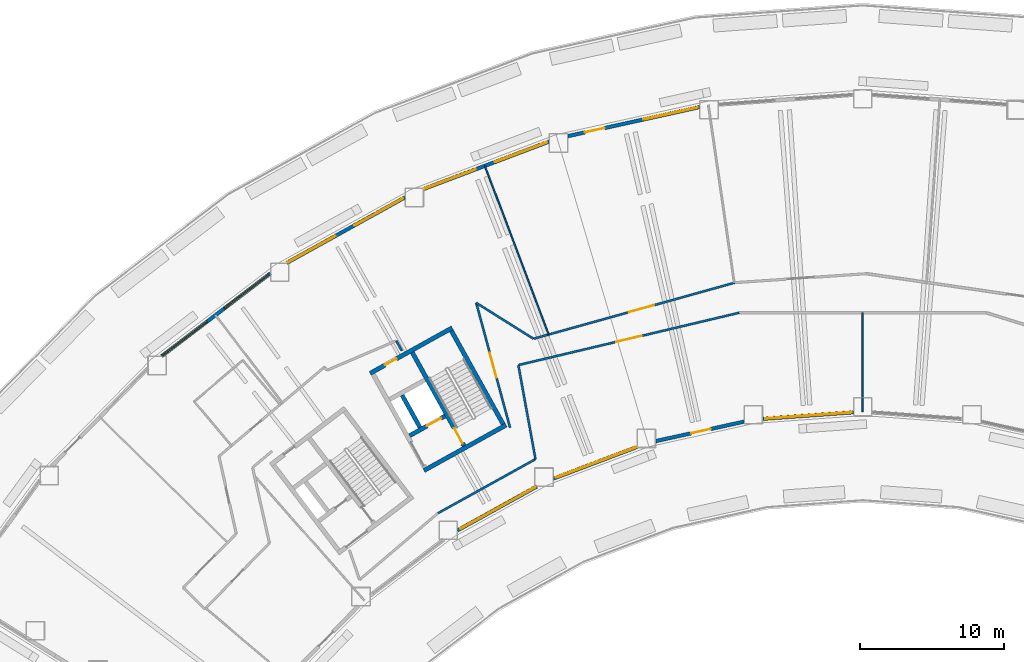
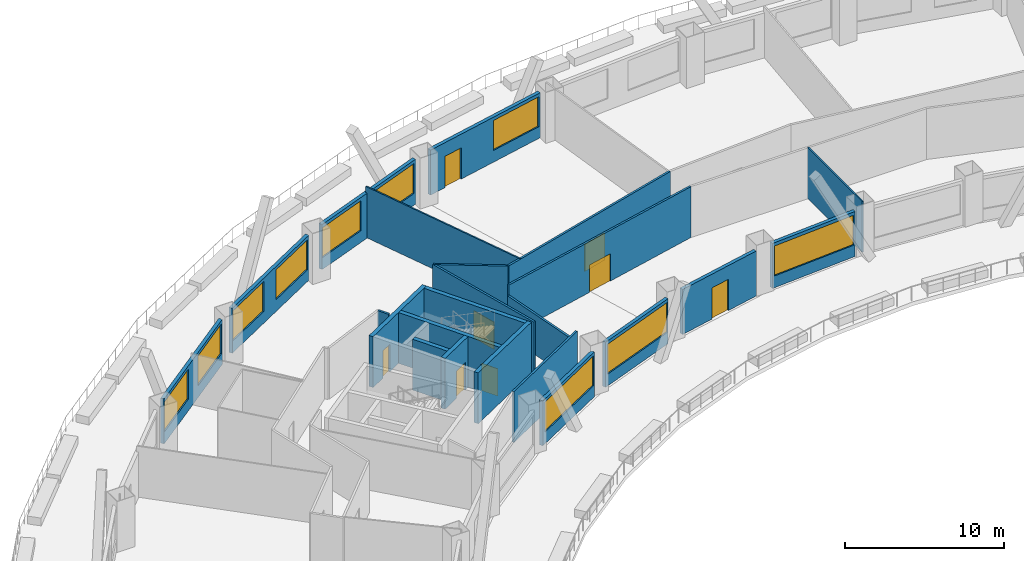
# One storey, part 4 of 12: 23 walls, 10 windows, 8 doors, 18 openings.
"""IFC4 building model written with IfcOpenShell, lengths in metres."""

from ifc_helpers import new_model, si_unit, direction, frame, frame_2d, origin, place, context, subcontext, project, spatial, rectangle, extrude, material, layer, layer_set, type_object, element, fill, save


model = new_model("IFC4")

# Units and contexts
model_context = context("Model", 3, precision=1e-05, world=origin(), true_north=direction((0.0, 1.0)))
body_context = subcontext(model_context, "Body", "Model", "MODEL_VIEW")
ifc_project = project(units=[si_unit("LENGTHUNIT", "METRE"), si_unit("AREAUNIT", "SQUARE_METRE"), si_unit("VOLUMEUNIT", "CUBIC_METRE"), si_unit("PLANEANGLEUNIT", "RADIAN"), si_unit("MASSUNIT", "GRAM", prefix="KILO")], contexts=[model_context])

# Site, building, storey
site_placement = place(None, origin())
site = spatial("IfcSite", under=ifc_project, at=site_placement, CompositionType="ELEMENT")
building_placement = place(site_placement, origin())
building = spatial("IfcBuilding", under=site, at=building_placement, Name="Tuul Gate Civic Tower", CompositionType="ELEMENT")
storey_placement = place(building_placement, frame((0.0, 0.0, 31.5)))
storey = spatial("IfcBuildingStorey", under=building, at=storey_placement, Name="Level 06", CompositionType="ELEMENT", Elevation=31.5)

# Wall
ifc_material_1 = material(Name="Concrete C50/60", Category="concrete")
ifc_layer_1 = layer(ifc_material_1, 0.300048828125)
ifc_layer_set_1 = layer_set([ifc_layer_1], Name="Concrete C50/60")
wall_type_1 = type_object("IfcWallType", Name="Core wall C50/60", PredefinedType="SHEAR", material=ifc_layer_set_1)
wall_1_placement = place(storey_placement, frame((-24.711669921875, -8.7158203125, 0.0), z_axis=(0.0, 0.0, 1.0), x_axis=(-0.874629909008, -0.484791215132, 0.0)))
element("IfcWall", 1, at=wall_1_placement, inside=storey, type_object=wall_type_1, Name="Core wall", PredefinedType="SHEAR", context=body_context, shape_type="SweptSolid", body=[
    extrude(rectangle(XDim=6.5, YDim=0.300048828125, at=frame_2d((3.25, 0.0))), origin(), (0.0, 0.0, 1.0), 3.89990234375),
])

# Wall, opening, door
wall_2_placement = place(storey_placement, frame((-28.94580078125, -8.090087890625, 0.0), z_axis=(0.0, 0.0, 1.0), x_axis=(-0.874629840737, -0.484791338301, 0.0)))
wall_2 = element("IfcWall", 2, at=wall_2_placement, inside=storey, type_object=wall_type_1, Name="Core wall", PredefinedType="SHEAR", context=body_context, shape_type="SweptSolid", body=[
    extrude(rectangle(XDim=2.800048828125, YDim=0.300048828125, at=frame_2d((1.39990234375, 0.0))), origin(), (0.0, 0.0, 1.0), 3.89990234375),
])
opening_1_placement = place(wall_2_placement, frame((0.324951171875, 0.0, 0.0)))
opening_1 = element("IfcOpeningElement", 3, at=opening_1_placement, cuts=wall_2, Name="Opening LD-FF-1", PredefinedType="OPENING", context=body_context, shape_type="SweptSolid", body=[
    extrude(rectangle(XDim=1.10009765625, YDim=2.10009765625, at=frame_2d((0.550048828125, 1.050048828125))), frame((0.0, 0.16015625, 0.0), z_axis=(0.0, -1.0, 0.0), x_axis=(1.0, 0.0, 0.0)), (0.0, 0.0, 1.0), 0.320068359375),
])
ifc_material_2 = material(Name="Stainless steel", Category="steel")
door_type_1 = type_object("IfcDoorType", Name="Landing door", OperationType="DOUBLE_DOOR_SLIDING", PredefinedType="DOOR", material=ifc_material_2)
door_1_placement = place(opening_1_placement, origin())
door_1 = element("IfcDoor", 4, at=door_1_placement, inside=storey, type_object=door_type_1, Name="Fire-fighting lift FF-1 landing door", OperationType="DOUBLE_DOOR_SLIDING", OverallHeight=2.10009765625, OverallWidth=1.10009765625, PredefinedType="DOOR", context=body_context, shape_type="SweptSolid", body=[
    extrude(rectangle(XDim=1.10009765625, YDim=2.10009765625, at=frame_2d((0.550048828125, 1.050048828125))), frame((0.0, 0.02490234375, 0.0), z_axis=(0.0, -1.0, 0.0), x_axis=(1.0, 0.0, 0.0)), (0.0, 0.0, 1.0), 0.050048828125),
])
fill(opening_1, door_1)

wall_3_placement = place(storey_placement, frame((-28.4443359375, -1.98095703125, 0.0), z_axis=(0.0, 0.0, 1.0), x_axis=(-0.874629909008, -0.484791215132, 0.0)))
wall_3 = element("IfcWall", 5, at=wall_3_placement, inside=storey, type_object=wall_type_1, Name="Core wall", PredefinedType="SHEAR", context=body_context, shape_type="SweptSolid", body=[
    extrude(rectangle(XDim=6.5, YDim=0.300048828125, at=frame_2d((3.25, 0.0))), origin(), (0.0, 0.0, 1.0), 3.89990234375),
])
opening_2_placement = place(wall_3_placement, frame((4.425048828125, 0.0, 0.0)))
opening_2 = element("IfcOpeningElement", 6, at=opening_2_placement, cuts=wall_3, Name="Opening A-D20", PredefinedType="OPENING", context=body_context, shape_type="SweptSolid", body=[
    extrude(rectangle(XDim=0.89990234375, YDim=2.10009765625, at=frame_2d((0.449951171875, 1.050048828125))), frame((0.0, 0.16015625, 0.0), z_axis=(0.0, -1.0, 0.0), x_axis=(1.0, 0.0, 0.0)), (0.0, 0.0, 1.0), 0.320068359375),
])
ifc_material_3 = material(Name="Timber door leaf", Category="wood")
door_type_2 = type_object("IfcDoorType", Name="Door D09", OperationType="NOTDEFINED", PredefinedType="DOOR", material=ifc_material_3)
door_2_placement = place(opening_2_placement, origin())
door_2 = element("IfcDoor", 7, at=door_2_placement, inside=storey, type_object=door_type_2, Name="Door A-D20", OperationType="SINGLE_SWING_LEFT", OverallHeight=2.10009765625, OverallWidth=0.89990234375, PredefinedType="DOOR", context=body_context, shape_type="SweptSolid", body=[
    extrude(rectangle(XDim=0.89990234375, YDim=2.10009765625, at=frame_2d((0.449951171875, 1.050048828125))), frame((0.0, 0.02490234375, 0.0), z_axis=(0.0, -1.0, 0.0), x_axis=(1.0, 0.0, 0.0)), (0.0, 0.0, 1.0), 0.050048828125),
])
fill(opening_2, door_2)

# Wall
wall_4_placement = place(storey_placement, frame((-24.91552734375, -8.6572265625, 0.0), z_axis=(0.0, 0.0, 1.0), x_axis=(-0.484777133038, 0.874637714304, 0.0)))
element("IfcWall", 8, at=wall_4_placement, inside=storey, type_object=wall_type_1, Name="Core wall", PredefinedType="SHEAR", context=body_context, shape_type="SweptSolid", body=[
    extrude(rectangle(XDim=7.400146484375, YDim=0.300048828125, at=frame_2d((3.7001953125, 0.0))), origin(), (0.0, 0.0, 1.0), 3.89990234375),
])

# Wall, opening, door
wall_5_placement = place(storey_placement, frame((-27.626953125, -10.16015625, 0.0), z_axis=(0.0, 0.0, 1.0), x_axis=(-0.484751894226, 0.874651702704, 0.0)))
wall_5 = element("IfcWall", 9, at=wall_5_placement, inside=storey, type_object=wall_type_1, Name="Core wall", PredefinedType="SHEAR", context=body_context, shape_type="SweptSolid", body=[
    extrude(rectangle(XDim=7.39990234375, YDim=0.300048828125, at=frame_2d((3.699951171875, 0.0))), origin(), (0.0, 0.0, 1.0), 3.89990234375),
])
opening_3_placement = place(wall_5_placement, frame((0.199951171875, 0.0, 0.0)))
opening_3 = element("IfcOpeningElement", 10, at=opening_3_placement, cuts=wall_5, Name="Opening SD-ST-2", PredefinedType="OPENING", context=body_context, shape_type="SweptSolid", body=[
    extrude(rectangle(XDim=1.199951171875, YDim=2.10009765625, at=frame_2d((0.60009765625, 1.050048828125))), frame((0.0, 0.16015625, 0.0), z_axis=(0.0, -1.0, 0.0), x_axis=(1.0, 0.0, 0.0)), (0.0, 0.0, 1.0), 0.320068359375),
])
ifc_material_4 = material(Name="Steel", Category="steel")
door_type_3 = type_object("IfcDoorType", Name="Stair door", OperationType="NOTDEFINED", PredefinedType="DOOR", material=ifc_material_4)
door_3_placement = place(opening_3_placement, origin())
door_3 = element("IfcDoor", 11, at=door_3_placement, inside=storey, type_object=door_type_3, Name="Stair door ST-2", OperationType="SINGLE_SWING_LEFT", OverallHeight=2.10009765625, OverallWidth=1.199951171875, PredefinedType="DOOR", context=body_context, shape_type="SweptSolid", body=[
    extrude(rectangle(XDim=1.199951171875, YDim=2.10009765625, at=frame_2d((0.60009765625, 1.050048828125))), frame((0.0, 0.02490234375, 0.0), z_axis=(0.0, -1.0, 0.0), x_axis=(1.0, 0.0, 0.0)), (0.0, 0.0, 1.0), 0.050048828125),
])
fill(opening_3, door_3)

# Wall
wall_6_placement = place(storey_placement, frame((-30.680419921875, -8.8798828125, 0.0), z_axis=(0.0, 0.0, 1.0), x_axis=(-0.484724115216, 0.874667097888, 0.0)))
element("IfcWall", 12, at=wall_6_placement, inside=storey, type_object=wall_type_1, Name="Core wall", PredefinedType="SHEAR", context=body_context, shape_type="SweptSolid", body=[
    extrude(rectangle(XDim=2.550048828125, YDim=0.300048828125, at=frame_2d((1.27490234375, 0.0))), origin(), (0.0, 0.0, 1.0), 3.89990234375),
])

# Wall, opening, door
ifc_material_5 = material(Name="Gypsum board partition")
ifc_layer_2 = layer(ifc_material_5, 0.14990234375)
ifc_layer_set_2 = layer_set([ifc_layer_2], Name="Gypsum board partition")
wall_type_2 = type_object("IfcWallType", Name="Corridor wall P150", PredefinedType="PARTITIONING", material=ifc_layer_set_2)
wall_7_placement = place(storey_placement, frame((-22.805419921875, -2.735107421875, 0.0), z_axis=(0.0, 0.0, 1.0), x_axis=(0.963309838379, 0.268391794366, 0.0)))
wall_7 = element("IfcWall", 13, at=wall_7_placement, inside=storey, type_object=wall_type_2, Name="p037", PredefinedType="PARTITIONING", context=body_context, shape_type="SweptSolid", body=[
    extrude(rectangle(XDim=14.47705078125, YDim=0.14990234375, at=frame_2d((7.238525390625, 0.0))), origin(), (0.0, 0.0, 1.0), 3.89990234375),
])
opening_4_placement = place(wall_7_placement, frame((6.855712890625, 0.0, 0.0)))
opening_4 = element("IfcOpeningElement", 14, at=opening_4_placement, cuts=wall_7, Name="Opening A-D08", PredefinedType="OPENING", context=body_context, shape_type="SweptSolid", body=[
    extrude(rectangle(XDim=1.800048828125, YDim=2.10009765625, at=frame_2d((0.89990234375, 1.050048828125))), frame((0.0, 0.0849609375, 0.0), z_axis=(0.0, -1.0, 0.0), x_axis=(1.0, 0.0, 0.0)), (0.0, 0.0, 1.0), 0.169921875),
])
ifc_material_6 = material(Name="Timber door leaf, double", Category="wood")
door_type_4 = type_object("IfcDoorType", Name="Door D18", OperationType="DOUBLE_DOOR_SINGLE_SWING", PredefinedType="DOOR", material=ifc_material_6)
door_4_placement = place(opening_4_placement, origin())
door_4 = element("IfcDoor", 15, at=door_4_placement, inside=storey, type_object=door_type_4, Name="Door A-D08", OperationType="DOUBLE_DOOR_SINGLE_SWING", OverallHeight=2.10009765625, OverallWidth=1.800048828125, PredefinedType="DOOR", context=body_context, shape_type="SweptSolid", body=[
    extrude(rectangle(XDim=1.800048828125, YDim=2.10009765625, at=frame_2d((0.89990234375, 1.050048828125))), frame((0.0, 0.02490234375, 0.0), z_axis=(0.0, -1.0, 0.0), x_axis=(1.0, 0.0, 0.0)), (0.0, 0.0, 1.0), 0.050048828125),
])
fill(opening_4, door_4)

# Wall
wall_8_placement = place(storey_placement, frame((-26.78271484375, -0.247314453125, 0.0), z_axis=(0.0, 0.0, 1.0), x_axis=(0.847026582422, -0.531550532565, 0.0)))
element("IfcWall", 16, at=wall_8_placement, inside=storey, type_object=wall_type_2, Name="p040", PredefinedType="PARTITIONING", context=body_context, shape_type="SweptSolid", body=[
    extrude(rectangle(XDim=4.678955078125, YDim=0.14990234375, at=frame_2d((2.33935546875, 0.0))), origin(), (0.0, 0.0, 1.0), 3.89990234375),
])

# Wall, opening, door
wall_9_placement = place(storey_placement, frame((-26.78271484375, -0.247314453125, 0.0), z_axis=(0.0, 0.0, 1.0), x_axis=(0.261698539129, -0.965149664362, 0.0)))
wall_9 = element("IfcWall", 17, at=wall_9_placement, inside=storey, type_object=wall_type_2, Name="p041", PredefinedType="PARTITIONING", context=body_context, shape_type="SweptSolid", body=[
    extrude(rectangle(XDim=8.955810546875, YDim=0.14990234375, at=frame_2d((4.47802734375, 0.0))), origin(), (0.0, 0.0, 1.0), 3.89990234375),
])
opening_5_placement = place(wall_9_placement, frame((3.577880859375, 0.0, 0.0)))
opening_5 = element("IfcOpeningElement", 18, at=opening_5_placement, cuts=wall_9, Name="Opening A-D09", PredefinedType="OPENING", context=body_context, shape_type="SweptSolid", body=[
    extrude(rectangle(XDim=1.800048828125, YDim=2.10009765625, at=frame_2d((0.89990234375, 1.050048828125))), frame((0.0, 0.0849609375, 0.0), z_axis=(0.0, -1.0, 0.0), x_axis=(1.0, 0.0, 0.0)), (0.0, 0.0, 1.0), 0.169921875),
])
door_5_placement = place(opening_5_placement, frame((1.800048828125, 0.0, 0.0), z_axis=(0.0, 0.0, 1.0), x_axis=(-1.0, 0.0, 0.0)))
door_5 = element("IfcDoor", 19, at=door_5_placement, inside=storey, type_object=door_type_4, Name="Door A-D09", OperationType="DOUBLE_DOOR_SINGLE_SWING", OverallHeight=2.10009765625, OverallWidth=1.800048828125, PredefinedType="DOOR", context=body_context, shape_type="SweptSolid", body=[
    extrude(rectangle(XDim=1.800048828125, YDim=2.10009765625, at=frame_2d((0.900146484375, 1.050048828125))), frame((0.0, 0.02490234375, 0.0), z_axis=(0.0, -1.0, 0.0), x_axis=(1.0, 0.0, 0.0)), (0.0, 0.0, 1.0), 0.050048828125),
])
fill(opening_5, door_5)

# Walls
wall_10_placement = place(storey_placement, frame((-32.3212890625, -2.876220703125, 0.0), z_axis=(0.0, 0.0, 1.0), x_axis=(0.4836119715, -0.875282503551, 0.0)))
element("IfcWall", 20, at=wall_10_placement, inside=storey, type_object=wall_type_2, Name="p042", PredefinedType="PARTITIONING", context=body_context, shape_type="SweptSolid", body=[
    extrude(rectangle(XDim=0.796630859375, YDim=0.14990234375, at=frame_2d((0.3984375, 0.0))), origin(), (0.0, 0.0, 1.0), 3.89990234375),
])
wall_11_placement = place(storey_placement, frame((-29.43994140625, -14.828857421875, 0.0), z_axis=(0.0, 0.0, 1.0), x_axis=(0.874615511825, 0.484817188717, 0.0)))
element("IfcWall", 21, at=wall_11_placement, inside=storey, type_object=wall_type_2, Name="p064", PredefinedType="PARTITIONING", context=body_context, shape_type="SweptSolid", body=[
    extrude(rectangle(XDim=7.73388671875, YDim=0.14990234375, at=frame_2d((3.866943359375, 0.0))), origin(), (0.0, 0.0, 1.0), 3.89990234375),
])

# Wall, opening, door
wall_12_placement = place(storey_placement, frame((-23.84912109375, -4.556640625, 0.0), z_axis=(0.0, 0.0, 1.0), x_axis=(0.97306515643, 0.23053026123, 0.0)))
wall_12 = element("IfcWall", 22, at=wall_12_placement, inside=storey, type_object=wall_type_2, Name="p066", PredefinedType="PARTITIONING", context=body_context, shape_type="SweptSolid", body=[
    extrude(rectangle(XDim=15.714111328125, YDim=0.14990234375, at=frame_2d((7.85693359375, 0.0))), origin(), (0.0, 0.0, 1.0), 3.89990234375),
])
opening_6_placement = place(wall_12_placement, frame((6.95703125, 0.0, 0.0)))
opening_6 = element("IfcOpeningElement", 23, at=opening_6_placement, cuts=wall_12, Name="Opening A-D16", PredefinedType="OPENING", context=body_context, shape_type="SweptSolid", body=[
    extrude(rectangle(XDim=1.800048828125, YDim=2.10009765625, at=frame_2d((0.89990234375, 1.050048828125))), frame((0.0, 0.0849609375, 0.0), z_axis=(0.0, -1.0, 0.0), x_axis=(1.0, 0.0, 0.0)), (0.0, 0.0, 1.0), 0.169921875),
])
door_6_placement = place(opening_6_placement, frame((1.800048828125, 0.0, 0.0), z_axis=(0.0, 0.0, 1.0), x_axis=(-1.0, 0.0, 0.0)))
door_6 = element("IfcDoor", 24, at=door_6_placement, inside=storey, type_object=door_type_4, Name="Door A-D16", OperationType="DOUBLE_DOOR_SINGLE_SWING", OverallHeight=2.10009765625, OverallWidth=1.800048828125, PredefinedType="DOOR", context=body_context, shape_type="SweptSolid", body=[
    extrude(rectangle(XDim=1.800048828125, YDim=2.10009765625, at=frame_2d((0.900146484375, 1.050048828125))), frame((0.0, 0.02490234375, 0.0), z_axis=(0.0, -1.0, 0.0), x_axis=(1.0, 0.0, 0.0)), (0.0, 0.0, 1.0), 0.050048828125),
])
fill(opening_6, door_6)

# Wall
ifc_material_7 = material(Name="Gypsum board partition")
ifc_layer_3 = layer(ifc_material_7, 0.14990234375)
ifc_layer_set_3 = layer_set([ifc_layer_3], Name="Gypsum board partition")
wall_type_3 = type_object("IfcWallType", Name="Corridor wall P150 3100 HIGH", PredefinedType="PARTITIONING", material=ifc_layer_set_3)
wall_13_placement = place(storey_placement, frame((-23.859375, -4.57861328125, 0.0), z_axis=(0.0, 0.0, 1.0), x_axis=(0.179126041097, -0.983826133725, 0.0)))
element("IfcWall", 25, at=wall_13_placement, inside=storey, type_object=wall_type_3, Name="p065", PredefinedType="PARTITIONING", context=body_context, shape_type="SweptSolid", body=[
    extrude(rectangle(XDim=6.607666015625, YDim=0.14990234375, at=frame_2d((3.3037109375, 0.0))), origin(), (0.0, 0.0, 1.0), 3.10009765625),
])

# Wall, openings, door, window
ifc_material_8 = material(Name="Precast concrete C40/50", Category="concrete")
ifc_layer_4 = layer(ifc_material_8, 0.25)
ifc_layer_set_4 = layer_set([ifc_layer_4], Name="Precast concrete C40/50")
wall_type_4 = type_object("IfcWallType", Name="External wall", PredefinedType="STANDARD", material=ifc_layer_set_4)
wall_14_placement = place(storey_placement, frame((-11.299072265625, 13.317138671875, 0.0), z_axis=(0.0, 0.0, 1.0), x_axis=(-0.97654219172, -0.215326142841, 0.0)))
wall_14 = element("IfcWall", 26, at=wall_14_placement, inside=storey, type_object=wall_type_4, Name="External wall", PredefinedType="STANDARD", context=body_context, shape_type="SweptSolid", body=[
    extrude(rectangle(XDim=9.34716796875, YDim=0.25, at=frame_2d((4.673583984375, 0.0))), origin(), (0.0, 0.0, 1.0), 3.449951171875),
])
opening_7_placement = place(wall_14_placement, frame((0.134033203125, 0.0, 0.89990234375)))
opening_7 = element("IfcOpeningElement", 27, at=opening_7_placement, cuts=wall_14, Name="Opening W22", PredefinedType="OPENING", context=body_context, shape_type="SweptSolid", body=[
    extrude(rectangle(XDim=3.85009765625, YDim=2.300048828125, at=frame_2d((1.925048828125, 1.14990234375))), frame((0.0, 0.135009765625, 0.0), z_axis=(0.0, -1.0, 0.0), x_axis=(1.0, 0.0, 0.0)), (0.0, 0.0, 1.0), 0.27001953125),
])
opening_8_placement = place(wall_14_placement, frame((6.730712890625, 0.0, 0.0)))
opening_8 = element("IfcOpeningElement", 28, at=opening_8_placement, cuts=wall_14, Name="Opening TD", PredefinedType="OPENING", context=body_context, shape_type="SweptSolid", body=[
    extrude(rectangle(XDim=1.39990234375, YDim=2.39990234375, at=frame_2d((0.699951171875, 1.199951171875))), frame((0.0, 0.135009765625, 0.0), z_axis=(0.0, -1.0, 0.0), x_axis=(1.0, 0.0, 0.0)), (0.0, 0.0, 1.0), 0.27001953125),
])
ifc_material_9 = material(Name="Glazed aluminium", Category="aluminium")
door_type_5 = type_object("IfcDoorType", Name="Terrace door", OperationType="DOUBLE_DOOR_SINGLE_SWING", PredefinedType="DOOR", material=ifc_material_9)
door_7_placement = place(opening_8_placement, frame((1.39990234375, 0.0, 0.0), z_axis=(0.0, 0.0, 1.0), x_axis=(-1.0, 0.0, 0.0)))
door_7 = element("IfcDoor", 29, at=door_7_placement, inside=storey, type_object=door_type_5, Name="Terrace door", OperationType="DOUBLE_DOOR_SINGLE_SWING", OverallHeight=2.39990234375, OverallWidth=1.39990234375, PredefinedType="DOOR", context=body_context, shape_type="SweptSolid", body=[
    extrude(rectangle(XDim=1.39990234375, YDim=2.39990234375, at=frame_2d((0.699951171875, 1.199951171875))), frame((0.0, 0.02490234375, 0.0), z_axis=(0.0, -1.0, 0.0), x_axis=(1.0, 0.0, 0.0)), (0.0, 0.0, 1.0), 0.050048828125),
])
fill(opening_8, door_7)
ifc_material_10 = material(Name="Glass", Category="glass")
window_type_1 = type_object("IfcWindowType", Name="Window W22 3850 x 2300", PartitioningType="SINGLE_PANEL", PredefinedType="WINDOW", material=ifc_material_10)
window_1_placement = place(opening_7_placement, origin())
window_1 = element("IfcWindow", 30, at=window_1_placement, inside=storey, type_object=window_type_1, Name="Window", OverallHeight=2.300048828125, OverallWidth=3.85009765625, PartitioningType="SINGLE_PANEL", PredefinedType="WINDOW", context=body_context, shape_type="SweptSolid", body=[
    extrude(rectangle(XDim=3.85009765625, YDim=2.300048828125, at=frame_2d((1.925048828125, 1.14990234375))), frame((0.0, 0.030029296875, 0.0), z_axis=(0.0, -1.0, 0.0), x_axis=(1.0, 0.0, 0.0)), (0.0, 0.0, 1.0), 0.06005859375),
])
fill(opening_7, window_1)

# Wall, openings, windows
wall_15_placement = place(storey_placement, frame((-21.72705078125, 10.929931640625, 0.0), z_axis=(0.0, 0.0, 1.0), x_axis=(-0.93537723485, -0.353651563724, 0.0)))
wall_15 = element("IfcWall", 31, at=wall_15_placement, inside=storey, type_object=wall_type_4, Name="External wall", PredefinedType="STANDARD", context=body_context, shape_type="SweptSolid", body=[
    extrude(rectangle(XDim=9.287109375, YDim=0.25, at=frame_2d((4.6435546875, 0.0))), origin(), (0.0, 0.0, 1.0), 3.449951171875),
])
opening_9_placement = place(wall_15_placement, frame((0.1552734375, 0.0, 0.89990234375)))
opening_9 = element("IfcOpeningElement", 32, at=opening_9_placement, cuts=wall_15, Name="Opening W22", PredefinedType="OPENING", context=body_context, shape_type="SweptSolid", body=[
    extrude(rectangle(XDim=3.85009765625, YDim=2.300048828125, at=frame_2d((1.925048828125, 1.14990234375))), frame((0.0, 0.135009765625, 0.0), z_axis=(0.0, -1.0, 0.0), x_axis=(1.0, 0.0, 0.0)), (0.0, 0.0, 1.0), 0.27001953125),
])
opening_10_placement = place(wall_15_placement, frame((5.44091796875, 0.0, 0.89990234375)))
opening_10 = element("IfcOpeningElement", 33, at=opening_10_placement, cuts=wall_15, Name="Opening W100", PredefinedType="OPENING", context=body_context, shape_type="SweptSolid", body=[
    extrude(rectangle(XDim=3.800048828125, YDim=2.300048828125, at=frame_2d((1.89990234375, 1.14990234375))), frame((0.0, 0.135009765625, 0.0), z_axis=(0.0, -1.0, 0.0), x_axis=(1.0, 0.0, 0.0)), (0.0, 0.0, 1.0), 0.27001953125),
])
ifc_material_11 = material(Name="Glass", Category="glass")
window_type_2 = type_object("IfcWindowType", Name="Window W100 3800 x 2300", PartitioningType="SINGLE_PANEL", PredefinedType="WINDOW", material=ifc_material_11)
window_2_placement = place(opening_10_placement, origin())
window_2 = element("IfcWindow", 34, at=window_2_placement, inside=storey, type_object=window_type_2, Name="Window", OverallHeight=2.300048828125, OverallWidth=3.800048828125, PartitioningType="SINGLE_PANEL", PredefinedType="WINDOW", context=body_context, shape_type="SweptSolid", body=[
    extrude(rectangle(XDim=3.800048828125, YDim=2.300048828125, at=frame_2d((1.89990234375, 1.14990234375))), frame((0.0, 0.030029296875, 0.0), z_axis=(0.0, -1.0, 0.0), x_axis=(1.0, 0.0, 0.0)), (0.0, 0.0, 1.0), 0.06005859375),
])
fill(opening_10, window_2)
window_3_placement = place(opening_9_placement, origin())
window_3 = element("IfcWindow", 35, at=window_3_placement, inside=storey, type_object=window_type_1, Name="Window", OverallHeight=2.300048828125, OverallWidth=3.85009765625, PartitioningType="SINGLE_PANEL", PredefinedType="WINDOW", context=body_context, shape_type="SweptSolid", body=[
    extrude(rectangle(XDim=3.85009765625, YDim=2.300048828125, at=frame_2d((1.925048828125, 1.14990234375))), frame((0.0, 0.030029296875, 0.0), z_axis=(0.0, -1.0, 0.0), x_axis=(1.0, 0.0, 0.0)), (0.0, 0.0, 1.0), 0.06005859375),
])
fill(opening_9, window_3)

wall_16_placement = place(storey_placement, frame((-31.714111328125, 7.0634765625, 0.0), z_axis=(0.0, 0.0, 1.0), x_axis=(-0.87462564428, -0.484798909206, 0.0)))
wall_16 = element("IfcWall", 36, at=wall_16_placement, inside=storey, type_object=wall_type_4, Name="External wall", PredefinedType="STANDARD", context=body_context, shape_type="SweptSolid", body=[
    extrude(rectangle(XDim=9.35986328125, YDim=0.25, at=frame_2d((4.679931640625, 0.0))), origin(), (0.0, 0.0, 1.0), 3.449951171875),
])
opening_11_placement = place(wall_16_placement, frame((0.164306640625, 0.0, 0.89990234375)))
opening_11 = element("IfcOpeningElement", 37, at=opening_11_placement, cuts=wall_16, Name="Opening W22", PredefinedType="OPENING", context=body_context, shape_type="SweptSolid", body=[
    extrude(rectangle(XDim=3.85009765625, YDim=2.300048828125, at=frame_2d((1.925048828125, 1.14990234375))), frame((0.0, 0.135009765625, 0.0), z_axis=(0.0, -1.0, 0.0), x_axis=(1.0, 0.0, 0.0)), (0.0, 0.0, 1.0), 0.27001953125),
])
opening_12_placement = place(wall_16_placement, frame((5.51708984375, 0.0, 0.89990234375)))
opening_12 = element("IfcOpeningElement", 38, at=opening_12_placement, cuts=wall_16, Name="Opening W99", PredefinedType="OPENING", context=body_context, shape_type="SweptSolid", body=[
    extrude(rectangle(XDim=3.75, YDim=2.300048828125, at=frame_2d((1.875, 1.14990234375))), frame((0.0, 0.135009765625, 0.0), z_axis=(0.0, -1.0, 0.0), x_axis=(1.0, 0.0, 0.0)), (0.0, 0.0, 1.0), 0.27001953125),
])
window_4_placement = place(opening_11_placement, origin())
window_4 = element("IfcWindow", 39, at=window_4_placement, inside=storey, type_object=window_type_1, Name="Window", OverallHeight=2.300048828125, OverallWidth=3.85009765625, PartitioningType="SINGLE_PANEL", PredefinedType="WINDOW", context=body_context, shape_type="SweptSolid", body=[
    extrude(rectangle(XDim=3.85009765625, YDim=2.300048828125, at=frame_2d((1.925048828125, 1.14990234375))), frame((0.0, 0.030029296875, 0.0), z_axis=(0.0, -1.0, 0.0), x_axis=(1.0, 0.0, 0.0)), (0.0, 0.0, 1.0), 0.06005859375),
])
fill(opening_11, window_4)
ifc_material_12 = material(Name="Glass", Category="glass")
window_type_3 = type_object("IfcWindowType", Name="Window W99 3750 x 2300", PartitioningType="SINGLE_PANEL", PredefinedType="WINDOW", material=ifc_material_12)
window_5_placement = place(opening_12_placement, origin())
window_5 = element("IfcWindow", 40, at=window_5_placement, inside=storey, type_object=window_type_3, Name="Window", OverallHeight=2.300048828125, OverallWidth=3.75, PartitioningType="SINGLE_PANEL", PredefinedType="WINDOW", context=body_context, shape_type="SweptSolid", body=[
    extrude(rectangle(XDim=3.75, YDim=2.300048828125, at=frame_2d((1.875, 1.14990234375))), frame((0.0, 0.030029296875, 0.0), z_axis=(0.0, -1.0, 0.0), x_axis=(1.0, 0.0, 0.0)), (0.0, 0.0, 1.0), 0.06005859375),
])
fill(opening_12, window_5)

wall_17_placement = place(storey_placement, frame((-41.052001953125, 1.7900390625, 0.0), z_axis=(0.0, 0.0, 1.0), x_axis=(-0.795612935537, -0.605805296119, 0.0)))
wall_17 = element("IfcWall", 41, at=wall_17_placement, inside=storey, type_object=wall_type_4, Name="External wall", PredefinedType="STANDARD", context=body_context, shape_type="SweptSolid", body=[
    extrude(rectangle(XDim=9.461669921875, YDim=0.25, at=frame_2d((4.73095703125, 0.0))), origin(), (0.0, 0.0, 1.0), 3.449951171875),
])
opening_13_placement = place(wall_17_placement, frame((0.158935546875, 0.0, 0.89990234375)))
opening_13 = element("IfcOpeningElement", 42, at=opening_13_placement, cuts=wall_17, Name="Opening W22", PredefinedType="OPENING", context=body_context, shape_type="SweptSolid", body=[
    extrude(rectangle(XDim=3.85009765625, YDim=2.300048828125, at=frame_2d((1.925048828125, 1.14990234375))), frame((0.0, 0.135009765625, 0.0), z_axis=(0.0, -1.0, 0.0), x_axis=(1.0, 0.0, 0.0)), (0.0, 0.0, 1.0), 0.27001953125),
])
opening_14_placement = place(wall_17_placement, frame((5.5302734375, 0.0, 0.89990234375)))
opening_14 = element("IfcOpeningElement", 43, at=opening_14_placement, cuts=wall_17, Name="Opening W22", PredefinedType="OPENING", context=body_context, shape_type="SweptSolid", body=[
    extrude(rectangle(XDim=3.85009765625, YDim=2.300048828125, at=frame_2d((1.925048828125, 1.14990234375))), frame((0.0, 0.135009765625, 0.0), z_axis=(0.0, -1.0, 0.0), x_axis=(1.0, 0.0, 0.0)), (0.0, 0.0, 1.0), 0.27001953125),
])
window_6_placement = place(opening_13_placement, origin())
window_6 = element("IfcWindow", 44, at=window_6_placement, inside=storey, type_object=window_type_1, Name="Window", OverallHeight=2.300048828125, OverallWidth=3.85009765625, PartitioningType="SINGLE_PANEL", PredefinedType="WINDOW", context=body_context, shape_type="SweptSolid", body=[
    extrude(rectangle(XDim=3.85009765625, YDim=2.300048828125, at=frame_2d((1.925048828125, 1.14990234375))), frame((0.0, 0.030029296875, 0.0), z_axis=(0.0, -1.0, 0.0), x_axis=(1.0, 0.0, 0.0)), (0.0, 0.0, 1.0), 0.06005859375),
])
fill(opening_13, window_6)
window_7_placement = place(opening_14_placement, origin())
window_7 = element("IfcWindow", 45, at=window_7_placement, inside=storey, type_object=window_type_1, Name="Window", OverallHeight=2.300048828125, OverallWidth=3.85009765625, PartitioningType="SINGLE_PANEL", PredefinedType="WINDOW", context=body_context, shape_type="SweptSolid", body=[
    extrude(rectangle(XDim=3.85009765625, YDim=2.300048828125, at=frame_2d((1.925048828125, 1.14990234375))), frame((0.0, 0.030029296875, 0.0), z_axis=(0.0, -1.0, 0.0), x_axis=(1.0, 0.0, 0.0)), (0.0, 0.0, 1.0), 0.06005859375),
])
fill(opening_14, window_7)

# Wall, opening, window
wall_18_placement = place(storey_placement, frame((-28.076904296875, -16.0166015625, 0.0), z_axis=(0.0, 0.0, 1.0), x_axis=(0.874630436192, 0.484790264018, 0.0)))
wall_18 = element("IfcWall", 46, at=wall_18_placement, inside=storey, type_object=wall_type_4, Name="External wall", PredefinedType="STANDARD", context=body_context, shape_type="SweptSolid", body=[
    extrude(rectangle(XDim=6.27392578125, YDim=0.25, at=frame_2d((3.136962890625, 0.0))), origin(), (0.0, 0.0, 1.0), 3.449951171875),
])
opening_15_placement = place(wall_18_placement, frame((0.237060546875, 0.0, 0.89990234375)))
opening_15 = element("IfcOpeningElement", 47, at=opening_15_placement, cuts=wall_18, Name="Opening W101", PredefinedType="OPENING", context=body_context, shape_type="SweptSolid", body=[
    extrude(rectangle(XDim=5.949951171875, YDim=2.300048828125, at=frame_2d((2.97509765625, 1.14990234375))), frame((0.0, 0.135009765625, 0.0), z_axis=(0.0, -1.0, 0.0), x_axis=(1.0, 0.0, 0.0)), (0.0, 0.0, 1.0), 0.27001953125),
])
ifc_material_13 = material(Name="Glass", Category="glass")
window_type_4 = type_object("IfcWindowType", Name="Window W101 5950 x 2300", PartitioningType="SINGLE_PANEL", PredefinedType="WINDOW", material=ifc_material_13)
window_8_placement = place(opening_15_placement, origin())
window_8 = element("IfcWindow", 48, at=window_8_placement, inside=storey, type_object=window_type_4, Name="Window", OverallHeight=2.300048828125, OverallWidth=5.949951171875, PartitioningType="SINGLE_PANEL", PredefinedType="WINDOW", context=body_context, shape_type="SweptSolid", body=[
    extrude(rectangle(XDim=5.949951171875, YDim=2.300048828125, at=frame_2d((2.97509765625, 1.14990234375))), frame((0.0, 0.030029296875, 0.0), z_axis=(0.0, -1.0, 0.0), x_axis=(1.0, 0.0, 0.0)), (0.0, 0.0, 1.0), 0.06005859375),
])
fill(opening_15, window_8)

wall_19_placement = place(storey_placement, frame((-21.43701171875, -12.426513671875, 0.0), z_axis=(0.0, 0.0, 1.0), x_axis=(0.935359836581, 0.353697577193, 0.0)))
wall_19 = element("IfcWall", 49, at=wall_19_placement, inside=storey, type_object=wall_type_4, Name="External wall", PredefinedType="STANDARD", context=body_context, shape_type="SweptSolid", body=[
    extrude(rectangle(XDim=6.201904296875, YDim=0.25, at=frame_2d((3.10107421875, 0.0))), origin(), (0.0, 0.0, 1.0), 3.449951171875),
])
opening_16_placement = place(wall_19_placement, frame((0.2060546875, 0.0, 0.89990234375)))
opening_16 = element("IfcOpeningElement", 50, at=opening_16_placement, cuts=wall_19, Name="Opening W101", PredefinedType="OPENING", context=body_context, shape_type="SweptSolid", body=[
    extrude(rectangle(XDim=5.949951171875, YDim=2.300048828125, at=frame_2d((2.97509765625, 1.14990234375))), frame((0.0, 0.135009765625, 0.0), z_axis=(0.0, -1.0, 0.0), x_axis=(1.0, 0.0, 0.0)), (0.0, 0.0, 1.0), 0.27001953125),
])
window_9_placement = place(opening_16_placement, origin())
window_9 = element("IfcWindow", 51, at=window_9_placement, inside=storey, type_object=window_type_4, Name="Window", OverallHeight=2.300048828125, OverallWidth=5.949951171875, PartitioningType="SINGLE_PANEL", PredefinedType="WINDOW", context=body_context, shape_type="SweptSolid", body=[
    extrude(rectangle(XDim=5.949951171875, YDim=2.300048828125, at=frame_2d((2.97509765625, 1.14990234375))), frame((0.0, 0.030029296875, 0.0), z_axis=(0.0, -1.0, 0.0), x_axis=(1.0, 0.0, 0.0)), (0.0, 0.0, 1.0), 0.06005859375),
])
fill(opening_16, window_9)

# Wall, opening, door
wall_20_placement = place(storey_placement, frame((-14.3359375, -9.8291015625, 0.0), z_axis=(0.0, 0.0, 1.0), x_axis=(0.97656633669, 0.215216611915, 0.0)))
wall_20 = element("IfcWall", 52, at=wall_20_placement, inside=storey, type_object=wall_type_4, Name="External wall", PredefinedType="STANDARD", context=body_context, shape_type="SweptSolid", body=[
    extrude(rectangle(XDim=6.2607421875, YDim=0.25, at=frame_2d((3.13037109375, 0.0))), origin(), (0.0, 0.0, 1.0), 3.449951171875),
])
opening_17_placement = place(wall_20_placement, frame((2.502197265625, 0.0, 0.0)))
opening_17 = element("IfcOpeningElement", 53, at=opening_17_placement, cuts=wall_20, Name="Opening TD", PredefinedType="OPENING", context=body_context, shape_type="SweptSolid", body=[
    extrude(rectangle(XDim=1.39990234375, YDim=2.39990234375, at=frame_2d((0.699951171875, 1.199951171875))), frame((0.0, 0.135009765625, 0.0), z_axis=(0.0, -1.0, 0.0), x_axis=(1.0, 0.0, 0.0)), (0.0, 0.0, 1.0), 0.27001953125),
])
door_8_placement = place(opening_17_placement, frame((1.39990234375, 0.0, 0.0), z_axis=(0.0, 0.0, 1.0), x_axis=(-1.0, 0.0, 0.0)))
door_8 = element("IfcDoor", 54, at=door_8_placement, inside=storey, type_object=door_type_5, Name="Terrace door", OperationType="DOUBLE_DOOR_SINGLE_SWING", OverallHeight=2.39990234375, OverallWidth=1.39990234375, PredefinedType="DOOR", context=body_context, shape_type="SweptSolid", body=[
    extrude(rectangle(XDim=1.39990234375, YDim=2.39990234375, at=frame_2d((0.699951171875, 1.199951171875))), frame((0.0, 0.02490234375, 0.0), z_axis=(0.0, -1.0, 0.0), x_axis=(1.0, 0.0, 0.0)), (0.0, 0.0, 1.0), 0.050048828125),
])
fill(opening_17, door_8)

# Wall, opening, window
wall_21_placement = place(storey_placement, frame((-6.922119140625, -8.284423828125, 0.0), z_axis=(0.0, 0.0, 1.0), x_axis=(0.997395047269, 0.072132653374, 0.0)))
wall_21 = element("IfcWall", 55, at=wall_21_placement, inside=storey, type_object=wall_type_4, Name="External wall", PredefinedType="STANDARD", context=body_context, shape_type="SweptSolid", body=[
    extrude(rectangle(XDim=6.28857421875, YDim=0.25, at=frame_2d((3.144287109375, 0.0))), origin(), (0.0, 0.0, 1.0), 3.449951171875),
])
opening_18_placement = place(wall_21_placement, frame((0.167724609375, 0.0, 0.89990234375)))
opening_18 = element("IfcOpeningElement", 56, at=opening_18_placement, cuts=wall_21, Name="Opening W26", PredefinedType="OPENING", context=body_context, shape_type="SweptSolid", body=[
    extrude(rectangle(XDim=6.0, YDim=2.300048828125, at=frame_2d((3.0, 1.14990234375))), frame((0.0, 0.135009765625, 0.0), z_axis=(0.0, -1.0, 0.0), x_axis=(1.0, 0.0, 0.0)), (0.0, 0.0, 1.0), 0.27001953125),
])
ifc_material_14 = material(Name="Glass", Category="glass")
window_type_5 = type_object("IfcWindowType", Name="Window W26 6000 x 2300", PartitioningType="SINGLE_PANEL", PredefinedType="WINDOW", material=ifc_material_14)
window_10_placement = place(opening_18_placement, origin())
window_10 = element("IfcWindow", 57, at=window_10_placement, inside=storey, type_object=window_type_5, Name="Window", OverallHeight=2.300048828125, OverallWidth=6.0, PartitioningType="SINGLE_PANEL", PredefinedType="WINDOW", context=body_context, shape_type="SweptSolid", body=[
    extrude(rectangle(XDim=6.0, YDim=2.300048828125, at=frame_2d((3.0, 1.14990234375))), frame((0.0, 0.030029296875, 0.0), z_axis=(0.0, -1.0, 0.0), x_axis=(1.0, 0.0, 0.0)), (0.0, 0.0, 1.0), 0.06005859375),
])
fill(opening_18, window_10)

# Walls
ifc_material_15 = material(Name="Gypsum board partition")
ifc_layer_5 = layer(ifc_material_15, 0.10009765625)
ifc_layer_set_5 = layer_set([ifc_layer_5], Name="Gypsum board partition")
wall_type_5 = type_object("IfcWallType", Name="Partition P100", PredefinedType="PARTITIONING", material=ifc_layer_set_5)
wall_22_placement = place(storey_placement, frame((-26.186767578125, 9.249267578125, 0.0), z_axis=(0.0, 0.0, 1.0), x_axis=(0.353692190452, -0.935361873508, 0.0)))
element("IfcWall", 58, at=wall_22_placement, inside=storey, type_object=wall_type_5, Name="p038", PredefinedType="PARTITIONING", context=body_context, shape_type="SweptSolid", body=[
    extrude(rectangle(XDim=12.502685546875, YDim=0.10009765625, at=frame_2d((6.25146484375, 0.0))), origin(), (0.0, 0.0, 1.0), 3.89990234375),
])
wall_23_placement = place(storey_placement, frame((0.0, -7.788818359375, 0.0), z_axis=(0.0, 0.0, 1.0), x_axis=(0.0, 1.0, 0.0)))
element("IfcWall", 59, at=wall_23_placement, inside=storey, type_object=wall_type_5, Name="p057", PredefinedType="PARTITIONING", context=body_context, shape_type="SweptSolid", body=[
    extrude(rectangle(XDim=6.855224609375, YDim=0.10009765625, at=frame_2d((3.427734375, 0.0))), origin(), (0.0, 0.0, 1.0), 3.89990234375),
])

save(model, "model.ifc")
